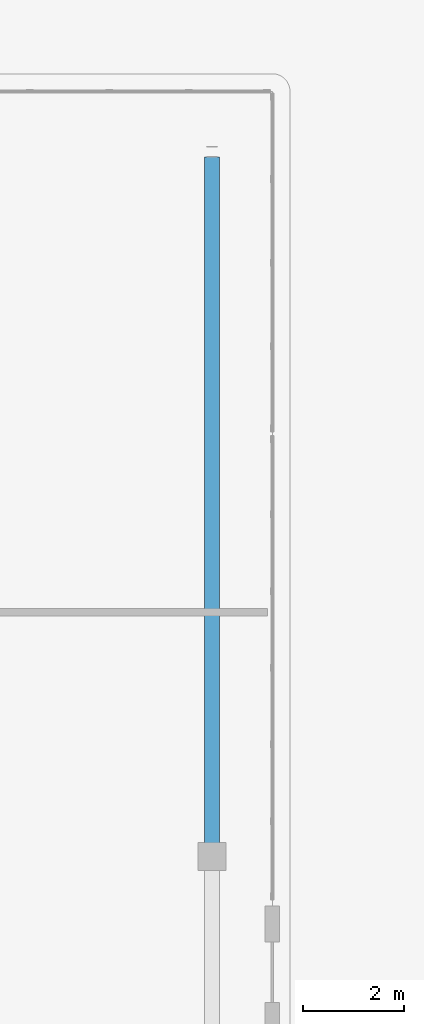
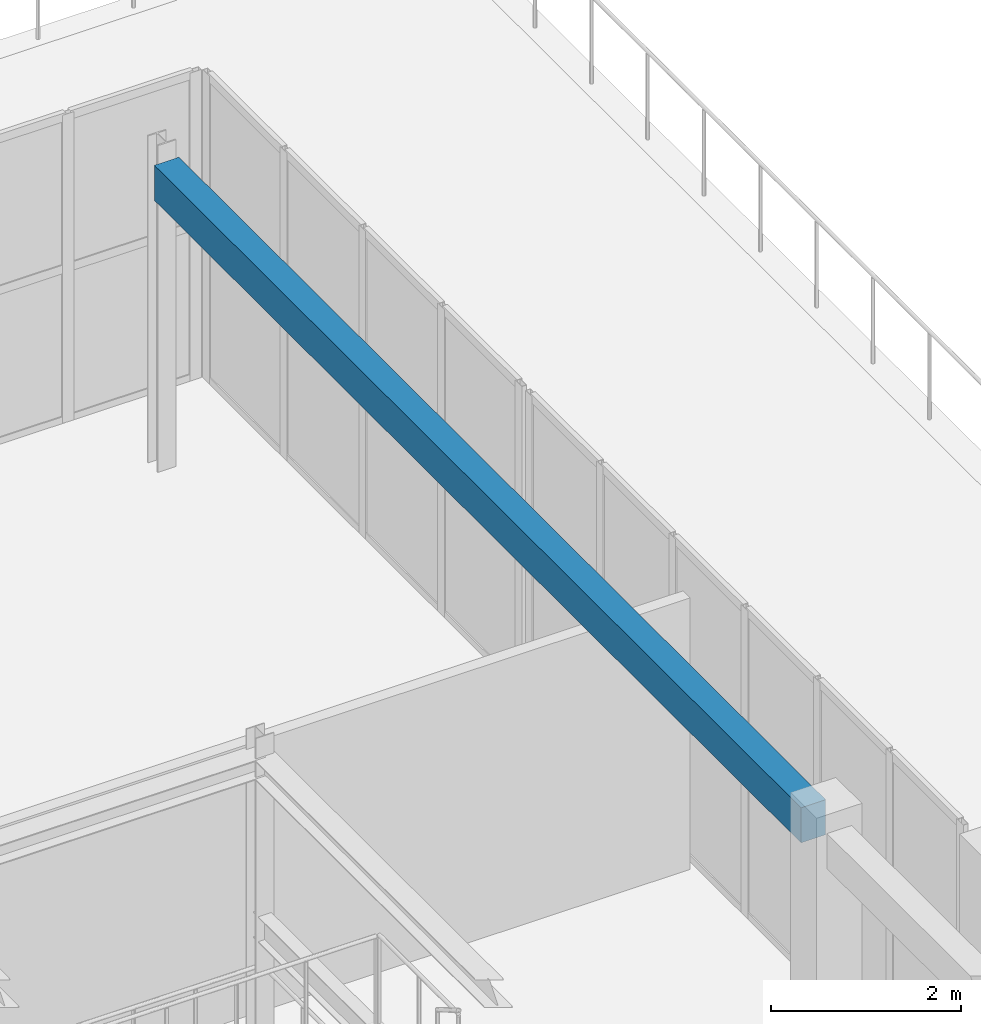
# One storey, part 47 of 90: 1 beam.
"""IFC4 building model written with IfcOpenShell, lengths in metres."""

from ifc_helpers import new_model, si_unit, direction, frame, origin, origin_2d, place, context, subcontext, project, spatial, rectangle, extrude, material, material_profile, profile_set, type_object, element, save


model = new_model("IFC4")

# Units and contexts
model_context = context("Model", 3, precision=1e-05, world=origin(), true_north=direction((0.0, 1.0)))
body_context = subcontext(model_context, "Body", "Model", "MODEL_VIEW")
ifc_project = project(units=[si_unit("LENGTHUNIT", "METRE"), si_unit("AREAUNIT", "SQUARE_METRE"), si_unit("VOLUMEUNIT", "CUBIC_METRE"), si_unit("PLANEANGLEUNIT", "RADIAN"), si_unit("MASSUNIT", "GRAM", prefix="KILO")], contexts=[model_context])

# Site, building, storey
site_placement = place(None, origin())
site = spatial("IfcSite", under=ifc_project, at=site_placement, CompositionType="ELEMENT")
building_placement = place(site_placement, origin())
building = spatial("IfcBuilding", under=site, at=building_placement, Name="Trelvath General Hospital", CompositionType="ELEMENT")
storey_placement = place(building_placement, frame((0.0, 0.0, 20.39990234375)))
storey = spatial("IfcBuildingStorey", under=building, at=storey_placement, Name="L05", CompositionType="ELEMENT", Elevation=20.39990234375)

# Beam
ifc_material = material(Name="Concrete C35/45", Category="concrete")
ifc_material_profile = material_profile(ifc_material, rectangle(XDim=0.300048828125, YDim=0.449951171875, at=origin_2d()), Name="RCB300x450")
ifc_profile_set = profile_set([ifc_material_profile], Name="Concrete C35/45")
beam_type = type_object("IfcBeamType", Name="Beam RC300x450", PredefinedType="BEAM", material=ifc_profile_set)
beam_placement = place(storey_placement, frame((107.199951171875, 59.071044921875, 3.735107421875), z_axis=(0.0, 1.0, 0.0), x_axis=(-1.0, 0.0, 0.0)))
element("IfcBeam", 1, at=beam_placement, inside=storey, type_object=beam_type, Name="Cube Interior Ring Beam CUBE-E-T2 L05", PredefinedType="BEAM", context=body_context, shape_type="SweptSolid", body=[
    extrude(rectangle(XDim=0.300048828125, YDim=0.449951171875, at=origin_2d()), origin(), (0.0, 0.0, 1.0), 13.623046875),
])

save(model, "model.ifc")
